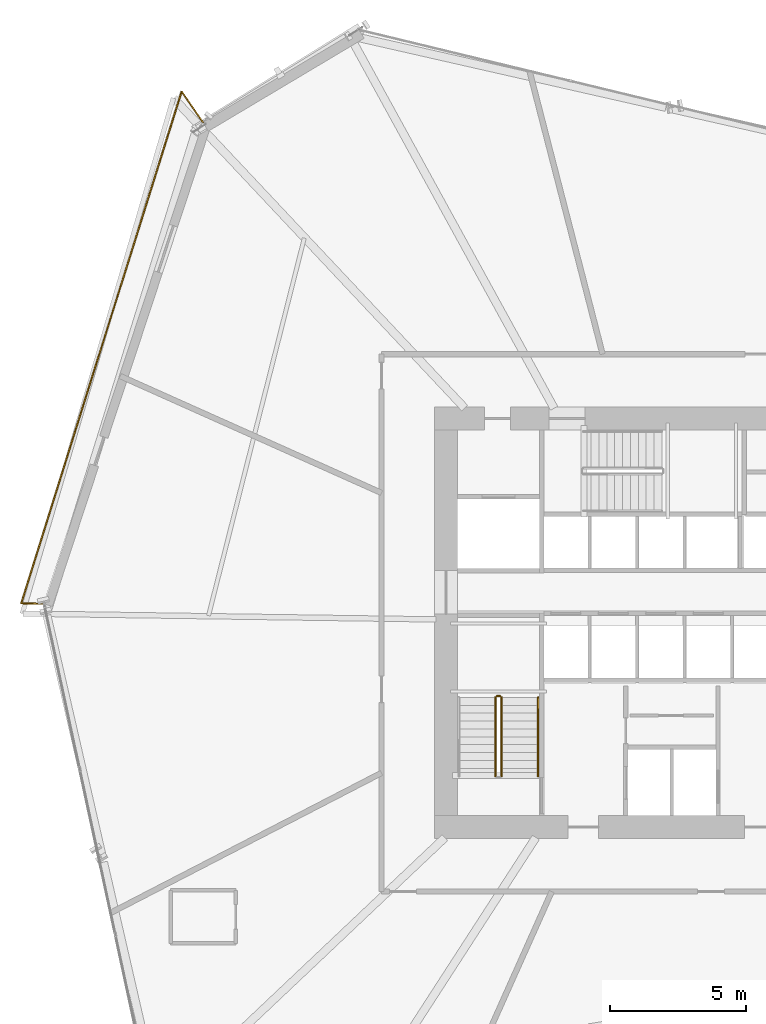
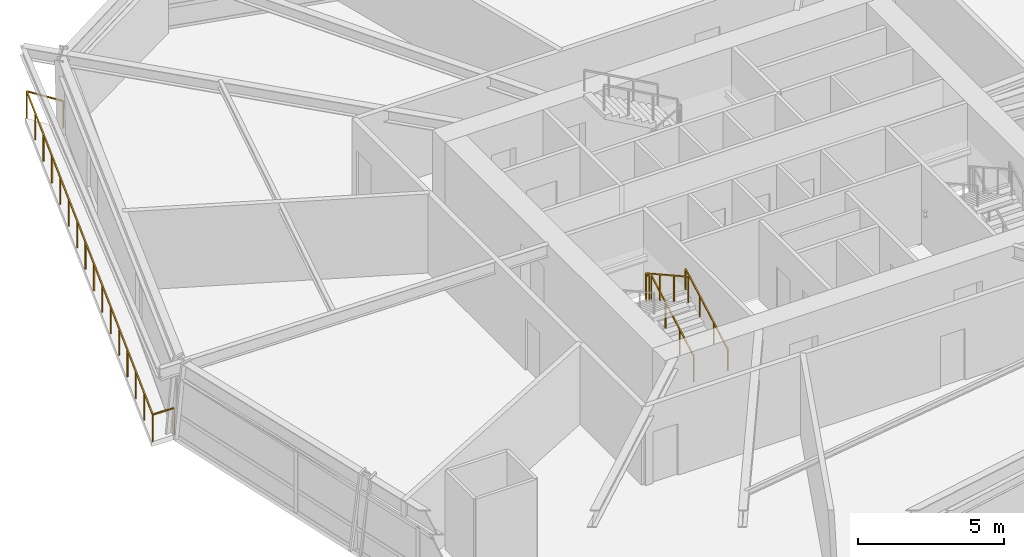
# One storey, part 22 of 24: 5 railings.
"""IFC4 building model written with IfcOpenShell, lengths in metres."""

from ifc_helpers import new_model, si_unit, direction, frame, origin, origin_2d, place, context, subcontext, project, spatial, rectangle, extrude, material, type_object, element, save


model = new_model("IFC4")

# Units and contexts
model_context = context("Model", 3, precision=1e-05, world=origin(), true_north=direction((0.0, 1.0)))
body_context = subcontext(model_context, "Body", "Model", "MODEL_VIEW")
ifc_project = project(units=[si_unit("LENGTHUNIT", "METRE"), si_unit("AREAUNIT", "SQUARE_METRE"), si_unit("VOLUMEUNIT", "CUBIC_METRE"), si_unit("PLANEANGLEUNIT", "RADIAN"), si_unit("MASSUNIT", "GRAM", prefix="KILO")], contexts=[model_context])

# Site, building, storey
site_placement = place(None, origin())
site = spatial("IfcSite", under=ifc_project, at=site_placement, CompositionType="ELEMENT")
building_placement = place(site_placement, origin())
building = spatial("IfcBuilding", under=site, at=building_placement, Name="Olszyna Solenne Hotel", CompositionType="ELEMENT")
storey_placement = place(building_placement, frame((0.0, 0.0, 29.300048828125)))
storey = spatial("IfcBuildingStorey", under=building, at=storey_placement, Name="L06", CompositionType="ELEMENT", Elevation=29.300048828125)

# Railings
ifc_material_1 = material(Name="Anodised bronze aluminium", Category="aluminium")
railing_type_1 = type_object("IfcRailingType", Name="GR-110", PredefinedType="BALUSTRADE", material=ifc_material_1)
railing_1_placement = place(storey_placement, frame((20.72265625, 45.040283203125, 0.0)))
element("IfcRailing", 1, at=railing_1_placement, inside=storey, type_object=railing_type_1, Name="Loggia balcony balustrade guard GR-L06-LG2", PredefinedType="BALUSTRADE", context=body_context, shape_type="SweptSolid", body=[
    extrude(rectangle(XDim=0.048095703125, YDim=0.048095703125, at=origin_2d()), frame((0.0, 0.0, 1.1259765625), z_axis=(-0.570286344161, 0.821445972456, 0.0), x_axis=(-0.821445972456, -0.570286344161, 0.0)), (0.0, 0.0, 1.0), 1.37939453125),
    extrude(rectangle(XDim=0.048095703125, YDim=0.048095703125, at=origin_2d()), frame((-0.78662109375, 1.133056640625, 1.1259765625), z_axis=(-0.299158539103, -0.954203420913, 0.0), x_axis=(0.954203420913, -0.299158539103, 0.0)), (0.0, 0.0, 1.0), 19.75830078125),
    extrude(rectangle(XDim=0.048095703125, YDim=0.048095703125, at=origin_2d()), frame((-6.697509765625, -17.720458984375, 1.1259765625), z_axis=(0.999713065037, -0.023953863856, 0.0), x_axis=(0.023953863856, 0.999713065037, 0.0)), (0.0, 0.0, 1.0), 0.845947265625),
    extrude(rectangle(XDim=0.0419921875, YDim=0.0419921875, at=origin_2d()), origin(), (0.0, 0.0, 1.0), 1.101806640625),
    extrude(rectangle(XDim=0.0419921875, YDim=0.0419921875, at=origin_2d()), frame((-0.78662109375, 1.133056640625, 0.0)), (0.0, 0.0, 1.0), 1.101806640625),
    extrude(rectangle(XDim=0.0419921875, YDim=0.0419921875, at=origin_2d()), frame((-1.1806640625, -0.123779296875, 0.0)), (0.0, 0.0, 1.0), 1.101806640625),
    extrude(rectangle(XDim=0.0419921875, YDim=0.0419921875, at=origin_2d()), frame((-1.57470703125, -1.380859375, 0.0)), (0.0, 0.0, 1.0), 1.101806640625),
    extrude(rectangle(XDim=0.0419921875, YDim=0.0419921875, at=origin_2d()), frame((-1.96875, -2.6376953125, 0.0)), (0.0, 0.0, 1.0), 1.101806640625),
    extrude(rectangle(XDim=0.0419921875, YDim=0.0419921875, at=origin_2d()), frame((-2.36279296875, -3.89453125, 0.0)), (0.0, 0.0, 1.0), 1.101806640625),
    extrude(rectangle(XDim=0.0419921875, YDim=0.0419921875, at=origin_2d()), frame((-2.7568359375, -5.1513671875, 0.0)), (0.0, 0.0, 1.0), 1.101806640625),
    extrude(rectangle(XDim=0.0419921875, YDim=0.0419921875, at=origin_2d()), frame((-3.15087890625, -6.408447265625, 0.0)), (0.0, 0.0, 1.0), 1.101806640625),
    extrude(rectangle(XDim=0.0419921875, YDim=0.0419921875, at=origin_2d()), frame((-3.544921875, -7.665283203125, 0.0)), (0.0, 0.0, 1.0), 1.101806640625),
    extrude(rectangle(XDim=0.0419921875, YDim=0.0419921875, at=origin_2d()), frame((-3.939208984375, -8.922119140625, 0.0)), (0.0, 0.0, 1.0), 1.101806640625),
    extrude(rectangle(XDim=0.0419921875, YDim=0.0419921875, at=origin_2d()), frame((-4.333251953125, -10.178955078125, 0.0)), (0.0, 0.0, 1.0), 1.101806640625),
    extrude(rectangle(XDim=0.0419921875, YDim=0.0419921875, at=origin_2d()), frame((-4.727294921875, -11.43603515625, 0.0)), (0.0, 0.0, 1.0), 1.101806640625),
    extrude(rectangle(XDim=0.0419921875, YDim=0.0419921875, at=origin_2d()), frame((-5.121337890625, -12.69287109375, 0.0)), (0.0, 0.0, 1.0), 1.101806640625),
    extrude(rectangle(XDim=0.0419921875, YDim=0.0419921875, at=origin_2d()), frame((-5.515380859375, -13.94970703125, 0.0)), (0.0, 0.0, 1.0), 1.101806640625),
    extrude(rectangle(XDim=0.0419921875, YDim=0.0419921875, at=origin_2d()), frame((-5.909423828125, -15.20654296875, 0.0)), (0.0, 0.0, 1.0), 1.101806640625),
    extrude(rectangle(XDim=0.0419921875, YDim=0.0419921875, at=origin_2d()), frame((-6.303466796875, -16.463623046875, 0.0)), (0.0, 0.0, 1.0), 1.101806640625),
    extrude(rectangle(XDim=0.0419921875, YDim=0.0419921875, at=origin_2d()), frame((-6.697509765625, -17.720458984375, 0.0)), (0.0, 0.0, 1.0), 1.101806640625),
    extrude(rectangle(XDim=0.0419921875, YDim=0.0419921875, at=origin_2d()), frame((-5.851806640625, -17.74072265625, 0.0)), (0.0, 0.0, 1.0), 1.101806640625),
])
railing_2_placement = place(storey_placement, frame((31.719970703125, 20.949951171875, 0.161376953125)))
element("IfcRailing", 2, at=railing_2_placement, inside=storey, type_object=railing_type_1, Name="L06 ST1 stair guard 1", PredefinedType="BALUSTRADE", context=body_context, shape_type="SweptSolid", body=[
    extrude(rectangle(XDim=0.048095703125, YDim=0.048095703125, at=origin_2d()), frame((0.0, 0.0, 1.076171875), z_axis=(0.0, 0.873858693841, 0.486179990537), x_axis=(-1.0, 0.0, 0.0)), (0.0, 0.0, 1.0), 3.31884765625),
    extrude(rectangle(XDim=0.0419921875, YDim=0.0419921875, at=origin_2d()), origin(), (0.0, 0.0, 1.0), 1.052001953125),
    extrude(rectangle(XDim=0.0419921875, YDim=0.0419921875, at=origin_2d()), frame((0.0, 0.966796875, 0.537841796875)), (0.0, 0.0, 1.0), 1.052001953125),
    extrude(rectangle(XDim=0.0419921875, YDim=0.0419921875, at=origin_2d()), frame((0.0, 1.933349609375, 1.07568359375)), (0.0, 0.0, 1.0), 1.052001953125),
    extrude(rectangle(XDim=0.0419921875, YDim=0.0419921875, at=origin_2d()), frame((0.0, 2.900146484375, 1.613525390625)), (0.0, 0.0, 1.0), 1.052001953125),
])
railing_3_placement = place(storey_placement, frame((31.669921875, 23.89990234375, 1.77490234375)))
element("IfcRailing", 3, at=railing_3_placement, inside=storey, type_object=railing_type_1, Name="L06 ST1 stair guard 2", PredefinedType="BALUSTRADE", context=body_context, shape_type="SweptSolid", body=[
    extrude(rectangle(XDim=0.048095703125, YDim=0.048095703125, at=origin_2d()), frame((0.0, 0.0, 1.076171875), z_axis=(-1.0, 0.0, 0.0), x_axis=(0.0, -1.0, 0.0)), (0.0, 0.0, 1.0), 0.119873046875),
    extrude(rectangle(XDim=0.0419921875, YDim=0.0419921875, at=origin_2d()), origin(), (0.0, 0.0, 1.0), 1.052001953125),
    extrude(rectangle(XDim=0.0419921875, YDim=0.0419921875, at=origin_2d()), frame((-0.119873046875, 0.0, 0.0)), (0.0, 0.0, 1.0), 1.052001953125),
])
railing_4_placement = place(storey_placement, frame((31.5, 23.85009765625, 1.936279296875)))
element("IfcRailing", 4, at=railing_4_placement, inside=storey, type_object=railing_type_1, Name="L06 ST1 stair guard 3", PredefinedType="BALUSTRADE", context=body_context, shape_type="SweptSolid", body=[
    extrude(rectangle(XDim=0.048095703125, YDim=0.048095703125, at=origin_2d()), frame((0.0, 0.0, 1.076171875), z_axis=(0.0, -0.873827439584, 0.48623616261), x_axis=(1.0, 0.0, 0.0)), (0.0, 0.0, 1.0), 3.31884765625),
    extrude(rectangle(XDim=0.0419921875, YDim=0.0419921875, at=origin_2d()), origin(), (0.0, 0.0, 1.0), 1.052001953125),
    extrude(rectangle(XDim=0.0419921875, YDim=0.0419921875, at=origin_2d()), frame((0.0, -0.966796875, 0.537841796875)), (0.0, 0.0, 1.0), 1.052001953125),
    extrude(rectangle(XDim=0.0419921875, YDim=0.0419921875, at=origin_2d()), frame((0.0, -1.933349609375, 1.075927734375)), (0.0, 0.0, 1.0), 1.052001953125),
    extrude(rectangle(XDim=0.0419921875, YDim=0.0419921875, at=origin_2d()), frame((0.0, -2.900146484375, 1.61376953125)), (0.0, 0.0, 1.0), 1.052001953125),
])
ifc_material_2 = material(Name="Steel S355J2", Category="steel")
railing_type_2 = type_object("IfcRailingType", Name="HR-090", PredefinedType="HANDRAIL", material=ifc_material_2)
railing_5_placement = place(storey_placement, frame((33.070068359375, 20.949951171875, 0.161376953125)))
element("IfcRailing", 5, at=railing_5_placement, inside=storey, type_object=railing_type_2, Name="L06 ST1 stair handrail 1", PredefinedType="HANDRAIL", context=body_context, shape_type="SweptSolid", body=[
    extrude(rectangle(XDim=0.048095703125, YDim=0.048095703125, at=origin_2d()), frame((0.0, 0.0, 0.8759765625), z_axis=(0.0, 0.873858693841, 0.486179990537), x_axis=(-1.0, 0.0, 0.0)), (0.0, 0.0, 1.0), 3.31884765625),
    extrude(rectangle(XDim=0.0419921875, YDim=0.0419921875, at=origin_2d()), origin(), (0.0, 0.0, 1.0), 0.851806640625),
    extrude(rectangle(XDim=0.0419921875, YDim=0.0419921875, at=origin_2d()), frame((0.0, 0.966796875, 0.537841796875)), (0.0, 0.0, 1.0), 0.851806640625),
    extrude(rectangle(XDim=0.0419921875, YDim=0.0419921875, at=origin_2d()), frame((0.0, 1.933349609375, 1.07568359375)), (0.0, 0.0, 1.0), 0.851806640625),
    extrude(rectangle(XDim=0.0419921875, YDim=0.0419921875, at=origin_2d()), frame((0.0, 2.900146484375, 1.613525390625)), (0.0, 0.0, 1.0), 0.851806640625),
])

save(model, "model.ifc")
